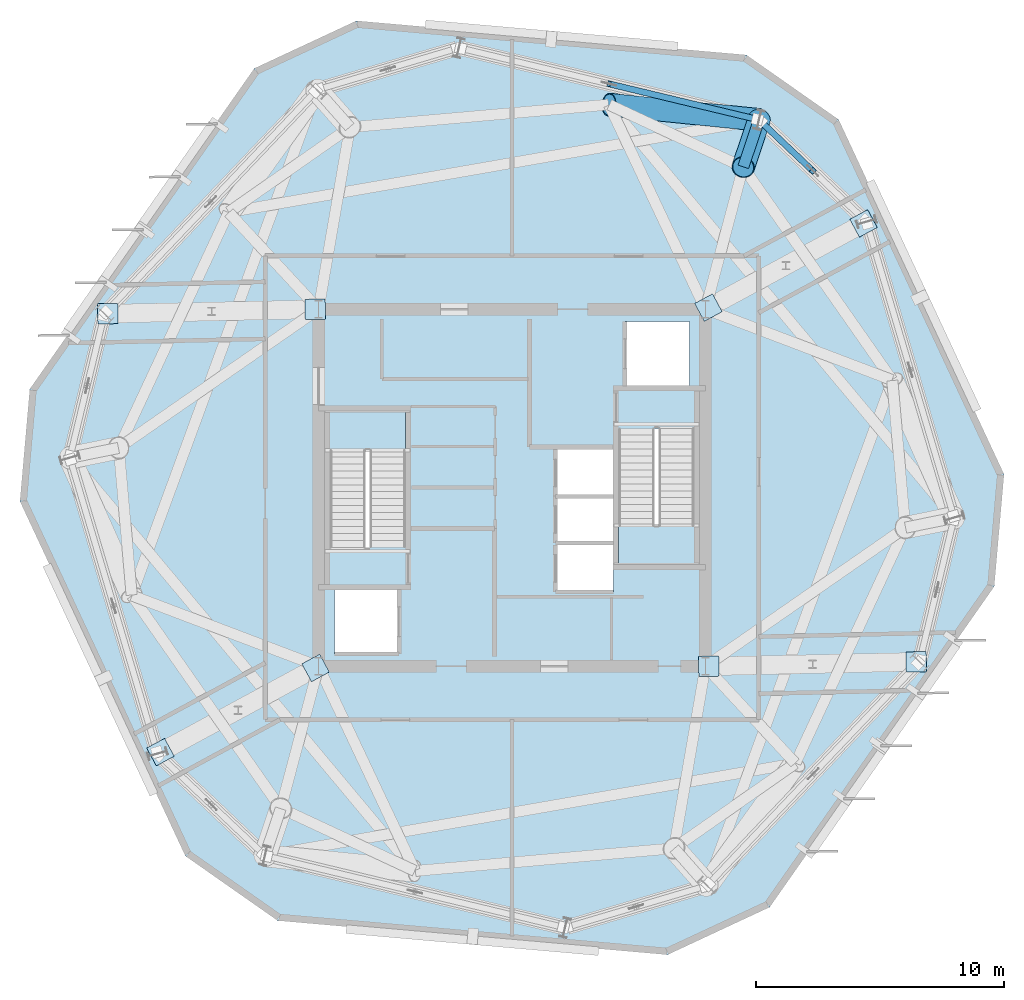
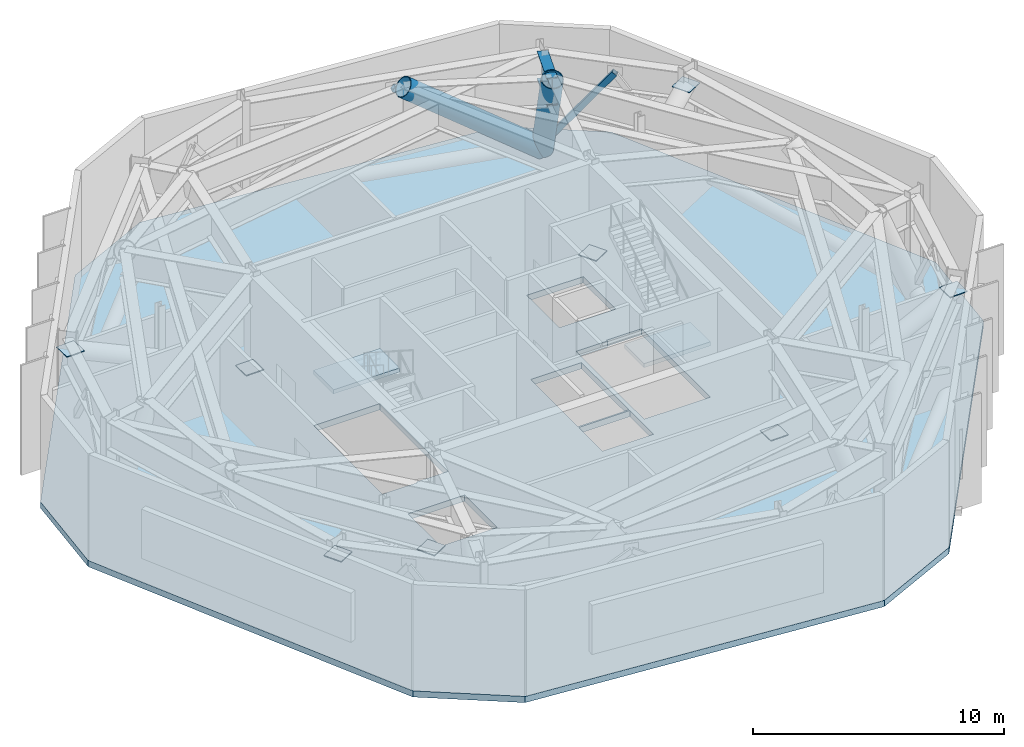
# One storey, part 3 of 10: 8 plates, 4 members, 3 slabs, 1 beam, 2 elements without a shape of their own.
"""IFC4 building model written with IfcOpenShell, lengths in metres."""

from ifc_helpers import new_model, si_unit, direction, frame, origin, origin_2d, place, context, subcontext, project, spatial, polyline, rectangle, hollow_rectangle, hollow_circle, i_section, outline, extrude, material, layer, layer_set, material_profile, profile_set, type_object, element, aggregate, save


model = new_model("IFC4")

# Units and contexts
model_context = context("Model", 3, precision=1e-05, world=origin(), true_north=direction((0.0, 1.0)))
body_context = subcontext(model_context, "Body", "Model", "MODEL_VIEW")
ifc_project = project(units=[si_unit("LENGTHUNIT", "METRE"), si_unit("AREAUNIT", "SQUARE_METRE"), si_unit("VOLUMEUNIT", "CUBIC_METRE"), si_unit("PLANEANGLEUNIT", "RADIAN"), si_unit("MASSUNIT", "GRAM", prefix="KILO")], contexts=[model_context])

# Site, building, storey
site_placement = place(None, origin())
site = spatial("IfcSite", under=ifc_project, at=site_placement, CompositionType="ELEMENT")
building_placement = place(site_placement, origin())
building = spatial("IfcBuilding", under=site, at=building_placement, Name="Kranzbogen Civic Tower", CompositionType="ELEMENT")
storey_placement = place(building_placement, frame((0.0, 0.0, 244.800048828125)))
storey = spatial("IfcBuildingStorey", under=building, at=storey_placement, Name="L59", CompositionType="ELEMENT", Elevation=244.800048828125)

# Members
ifc_material_1 = material(Name="Steel S460", Category="steel")
ifc_material_profile_1 = material_profile(ifc_material_1, hollow_circle(Radius=0.45703125, WallThickness=0.035888671875, at=origin_2d()), Name="CHS 914x36")
ifc_profile_set_1 = profile_set([ifc_material_profile_1], Name="Steel S460")
member_type_1 = type_object("IfcMemberType", Name="Portal Arch Thrust Strut CHS 914x36", PredefinedType="STRUT", material=ifc_profile_set_1)
member_1_placement = place(storey_placement, frame((34.9609375, 39.8349609375, 0.349853515625), z_axis=(-0.124290110433, -0.371350543935, 0.920136262718), x_axis=(0.948294485072, -0.317391823434, 0.0)))
element("IfcMember", 1, at=member_1_placement, inside=storey, type_object=member_type_1, Name="STR-1: L59 inclined perimeter transfer strut 08", PredefinedType="STRUT", context=body_context, shape_type="SweptSolid", body=[
    extrude(hollow_circle(Radius=0.45703125, WallThickness=0.035888671875, at=origin_2d()), origin(), (0.0, 0.0, 1.0), 5.140625),
])
member_2_placement = place(storey_placement, frame((34.9609375, 39.8349609375, 0.349853515625), z_axis=(-0.785393920747, 0.0798098869, 0.6138295946), x_axis=(-0.101097022191, -0.994876571291, 0.0)))
element("IfcMember", 2, at=member_2_placement, inside=storey, type_object=member_type_1, Name="STR-1: L59 inclined perimeter transfer strut 09", PredefinedType="STRUT", context=body_context, shape_type="SweptSolid", body=[
    extrude(hollow_circle(Radius=0.45703125, WallThickness=0.035888671875, at=origin_2d()), origin(), (0.0, 0.0, 1.0), 7.705810546875),
])

# Beam
ifc_material_profile_2 = material_profile(ifc_material_1, i_section(OverallWidth=0.449951171875, OverallDepth=1.35009765625, WebThickness=0.02392578125, FlangeThickness=0.0380859375, at=origin_2d()), Name="WPG 1350x450x24x38")
ifc_profile_set_2 = profile_set([ifc_material_profile_2], Name="Steel S460")
beam_type = type_object("IfcBeamType", Name="Welded Transfer Girder WPG 1350x450x24x38", PredefinedType="BEAM", material=ifc_profile_set_2)
beam_placement = place(storey_placement, frame((34.945068359375, 39.7880859375, 4.454833984375), z_axis=(-0.317204769355, -0.948357071096, 0.0), x_axis=(0.948357071096, -0.317204769355, 0.0)))
element("IfcBeam", 3, at=beam_placement, inside=storey, type_object=beam_type, Name="TG-1350: L59 perimeter column transfer girder 08", PredefinedType="BEAM", context=body_context, shape_type="SweptSolid", body=[
    extrude(i_section(OverallWidth=0.449951171875, OverallDepth=1.35009765625, WebThickness=0.02392578125, FlangeThickness=0.0380859375, at=origin_2d()), origin(), (0.0, 0.0, 1.0), 1.94873046875),
])

# Members
ifc_material_2 = material(Name="Steel S355", Category="steel")
ifc_material_profile_3 = material_profile(ifc_material_2, hollow_rectangle(XDim=0.25, YDim=0.25, WallThickness=0.01611328125, at=origin_2d()), Name="SHS 250x250x16")
ifc_profile_set_3 = profile_set([ifc_material_profile_3], Name="Steel S355")
member_type_2 = type_object("IfcMemberType", Name="Zone 3 Belt Truss Diagonal SHS 250x250x16", PredefinedType="BRACE", material=ifc_profile_set_3)
member_3_placement = place(storey_placement, frame((35.01904296875, 39.780029296875, 0.64990234375), z_axis=(0.434804818893, -0.412747312445, 0.800365182612), x_axis=(0.688471247977, 0.725263635314, 0.0)))
element("IfcMember", 4, at=member_3_placement, inside=storey, type_object=member_type_2, Name="DG-250: L59 belt truss diagonal 07B", PredefinedType="BRACE", context=body_context, shape_type="SweptSolid", body=[
    extrude(hollow_rectangle(XDim=0.25, YDim=0.25, WallThickness=0.01611328125, at=origin_2d()), origin(), (0.0, 0.0, 1.0), 4.847900390625),
])
member_4_placement = place(storey_placement, frame((34.883056640625, 39.85400390625, 0.64990234375), z_axis=(-0.822123254933, 0.197247752246, 0.53404744914), x_axis=(-0.233303803809, -0.97240389506, 0.0)))
element("IfcMember", 5, at=member_4_placement, inside=storey, type_object=member_type_2, Name="DG-250: L59 belt truss diagonal 08A", PredefinedType="BRACE", context=body_context, shape_type="SweptSolid", body=[
    extrude(hollow_rectangle(XDim=0.25, YDim=0.25, WallThickness=0.01611328125, at=origin_2d()), origin(), (0.0, 0.0, 1.0), 7.265625),
])

# Slab
ifc_material_3 = material(Name="Concrete C40/50", Category="concrete")
ifc_layer_1 = layer(ifc_material_3, 0.300048828125, Name="Concrete C40/50")
ifc_layer_set_1 = layer_set([ifc_layer_1], Name="Concrete C40/50")
slab_type_1 = type_object("IfcSlabType", Name="Composite Transfer and Plant Floor Slab 300 mm", PredefinedType="FLOOR", material=ifc_layer_set_1)
slab_1_placement = place(storey_placement, frame((0.0, 0.0, -0.300048828125)))
element("IfcSlab", 6, at=slab_1_placement, inside=storey, type_object=slab_type_1, Name="L59 tower floor slab", PredefinedType="FLOOR", context=body_context, shape_type="SweptSolid", body=[
    extrude(outline(polyline([(34.466064453125, 42.44091796875), (18.70703125, 43.820068359375), (14.6279296875, 41.91796875), (5.554931640625, 28.9599609375), (5.162109375, 24.47705078125), (11.847900390625, 10.139892578125), (15.533935546875, 7.55908203125), (31.29296875, 6.179931640625), (35.3720703125, 8.08203125), (44.445068359375, 21.0400390625), (44.837890625, 25.52294921875), (38.152099609375, 39.860107421875), (34.466064453125, 42.44091796875)]), holes=[polyline([(17.85009765625, 20.89990234375), (20.449951171875, 20.89990234375), (20.449951171875, 18.300048828125), (17.85009765625, 18.300048828125), (17.85009765625, 20.89990234375)]), polyline([(29.10009765625, 22.699951171875), (29.10009765625, 20.800048828125), (26.75, 20.800048828125), (26.75, 22.699951171875), (29.10009765625, 22.699951171875)]), polyline([(29.10009765625, 24.64990234375), (29.10009765625, 22.77490234375), (26.75, 22.77490234375), (26.75, 24.64990234375), (26.75, 24.675048828125), (26.75, 26.550048828125), (29.10009765625, 26.550048828125), (29.10009765625, 24.675048828125), (29.10009765625, 24.64990234375)]), polyline([(29.300048828125, 27.340087890625), (30.75, 27.340087890625), (30.75, 27.39990234375), (32.35009765625, 27.39990234375), (32.35009765625, 21.89990234375), (29.300048828125, 21.89990234375), (29.300048828125, 27.340087890625)]), polyline([(20.699951171875, 22.659912109375), (19.25, 22.659912109375), (19.25, 22.60009765625), (17.64990234375, 22.60009765625), (17.64990234375, 28.10009765625), (20.699951171875, 28.10009765625), (20.699951171875, 22.659912109375)]), polyline([(32.14990234375, 31.699951171875), (32.14990234375, 29.10009765625), (29.550048828125, 29.10009765625), (29.550048828125, 31.699951171875), (32.14990234375, 31.699951171875)])]), origin(), (0.0, 0.0, 1.0), 0.300048828125),
])

# Plates
ifc_layer_2 = layer(ifc_material_1, 0.034912109375, Name="Steel S460")
ifc_layer_set_2 = layer_set([ifc_layer_2], Name="Steel S460")
plate_type = type_object("IfcPlateType", Name="Portal Arch Sealed End Cap Plate 1120x1120x35", PredefinedType="SHEET", material=ifc_layer_set_2)
for number, where, z_axis, x_axis, name in (
    (7, (17.0810546875, 17.735107421875, 0.5244140625), (0.0, 0.0, 1.0), (-0.878942002415, -0.476928670128, 0.0), "OUT-1: L59 radial outrigger strut 1 end cap 1"),
    (8, (10.825927734375, 14.341064453125, 4.470703125), (0.0, 0.0, 1.0), (-0.878942002415, -0.476928670128, 0.0), "OUT-1: L59 radial outrigger strut 1 end cap 2"),
    (9, (32.93408203125, 17.802978515625, 0.525390625), (0.0, 0.0, 1.0), (0.999771823424, 0.021361205187, 0.0), "OUT-1: L59 radial outrigger strut 2 end cap 1"),
    (10, (41.299072265625, 17.98095703125, 4.4697265625), (0.0, 0.0, 1.0), (0.999771823424, 0.021361205187, 0.0), "OUT-1: L59 radial outrigger strut 2 end cap 2"),
    (11, (32.9189453125, 32.264892578125, 0.5244140625), (0.0, 0.0, 1.0), (0.878942002415, 0.476928670128, 0.0), "OUT-1: L59 radial outrigger strut 3 end cap 1"),
    (12, (39.174072265625, 35.658935546875, 4.470703125), (0.0, 0.0, 1.0), (0.878942002415, 0.476928670128, 0.0), "OUT-1: L59 radial outrigger strut 3 end cap 2"),
    (13, (17.06591796875, 32.197021484375, 0.525390625), (0.0, 0.0, 1.0), (-0.999771823424, -0.021361205187, 0.0), "OUT-1: L59 radial outrigger strut 4 end cap 1"),
    (14, (8.700927734375, 32.01904296875, 4.4697265625), (0.0, 0.0, 1.0), (-0.999771823424, -0.021361205187, 0.0), "OUT-1: L59 radial outrigger strut 4 end cap 2"),
):
    element("IfcPlate", number, at=place(storey_placement, frame(where, z_axis=z_axis, x_axis=x_axis)), inside=storey, type_object=plate_type, Name=name, PredefinedType="SHEET", context=body_context, shape_type="SweptSolid", body=[
        extrude(rectangle(XDim=0.820068359375, YDim=0.820068359375, at=origin_2d()), origin(), (0.0, 0.0, 1.0), 0.034912109375),
    ])

# Stair, slab
ifc_material_4 = material(Name="Precast concrete C40/50", Category="concrete")
stair_type_1 = type_object("IfcStairType", Name="Tower Core Pressurized Dogleg Stair 1450", PredefinedType="HALF_TURN_STAIR", material=ifc_material_4)
stair_1_placement = place(storey_placement, origin())
stair_1 = element("IfcStair", 15, at=stair_1_placement, inside=storey, type_object=stair_type_1, Name="L59 Tower Core Pressurized Stair 1", PredefinedType="HALF_TURN_STAIR")
ifc_layer_3 = layer(ifc_material_4, 0.199951171875, Name="Precast concrete C40/50")
ifc_layer_set_3 = layer_set([ifc_layer_3], Name="Precast concrete C40/50")
slab_type_2 = type_object("IfcSlabType", Name="Precast Concrete Stair Landing Slab 200 mm", PredefinedType="LANDING", material=ifc_layer_set_3)
slab_2_placement = place(storey_placement, frame((0.0, 0.0, 2.5)))
slab_2 = element("IfcSlab", 16, at=slab_2_placement, type_object=slab_type_2, Name="ST-T1 landing 1", PredefinedType="LANDING", context=body_context, shape_type="SweptSolid", body=[
    extrude(outline(polyline([(20.699951171875, 26.52001953125), (20.699951171875, 28.10009765625), (17.64990234375, 28.10009765625), (17.64990234375, 26.52001953125), (20.699951171875, 26.52001953125)])), origin(), (0.0, 0.0, 1.0), 0.199951171875),
])
aggregate(stair_1, [slab_2])

stair_type_2 = type_object("IfcStairType", Name="Tower Core Secondary Dogleg Stair 1450", PredefinedType="HALF_TURN_STAIR", material=ifc_material_4)
stair_2_placement = place(storey_placement, origin())
stair_2 = element("IfcStair", 17, at=stair_2_placement, inside=storey, type_object=stair_type_2, Name="L59 Tower Core Pressurized Stair 2", PredefinedType="HALF_TURN_STAIR")
slab_3_placement = place(storey_placement, frame((0.0, 0.0, 2.5)))
slab_3 = element("IfcSlab", 18, at=slab_3_placement, type_object=slab_type_2, Name="ST-T2 landing 1", PredefinedType="LANDING", context=body_context, shape_type="SweptSolid", body=[
    extrude(outline(polyline([(29.300048828125, 23.47998046875), (29.300048828125, 21.89990234375), (32.35009765625, 21.89990234375), (32.35009765625, 23.47998046875), (29.300048828125, 23.47998046875)])), origin(), (0.0, 0.0, 1.0), 0.199951171875),
])
aggregate(stair_2, [slab_3])

save(model, "model.ifc")
